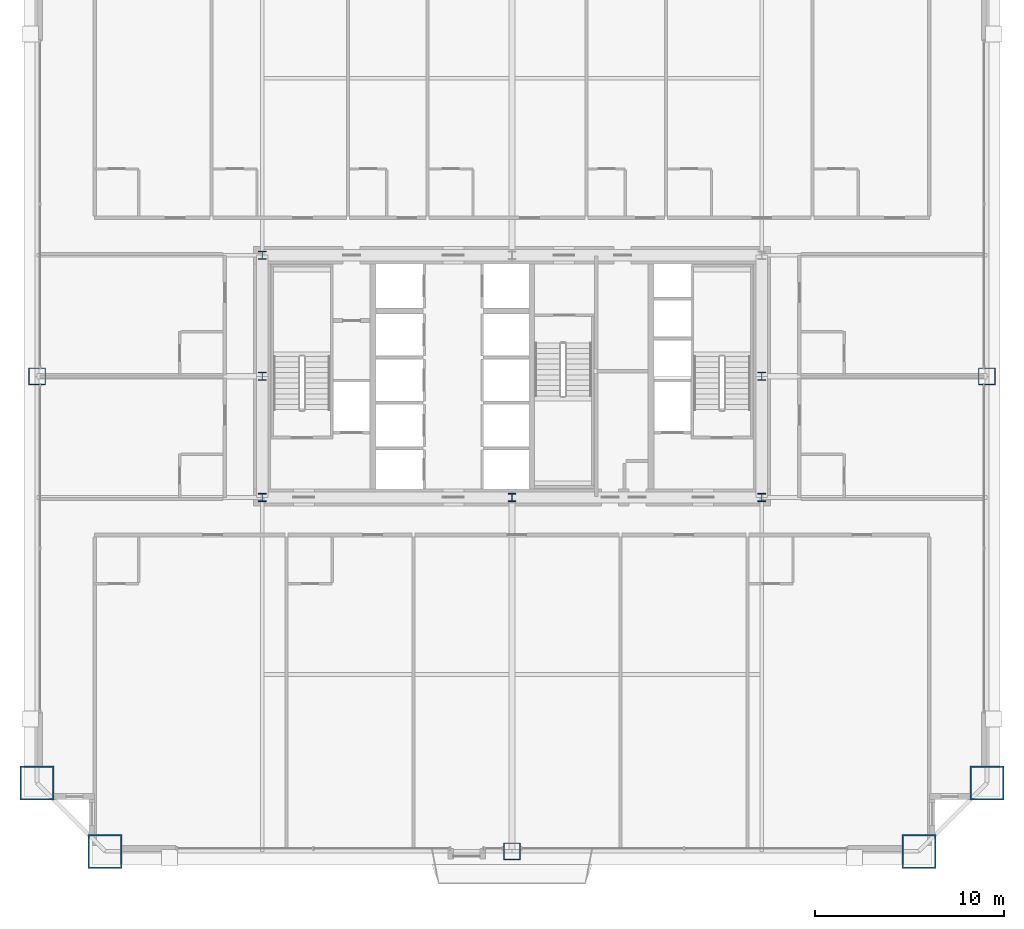
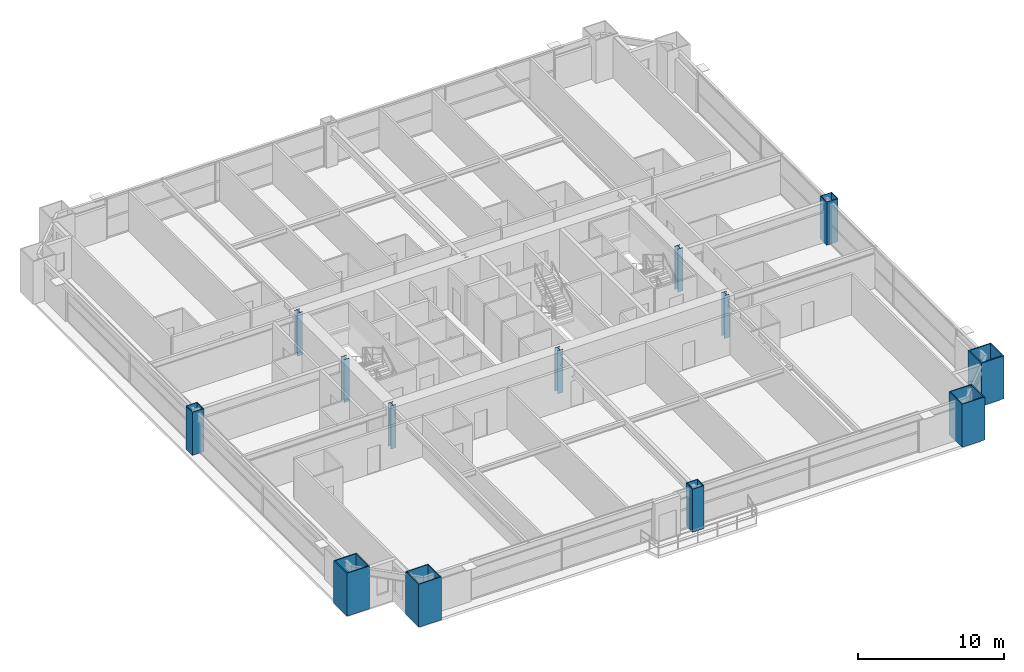
# One storey, part 1 of 45: 13 columns.
"""IFC4 building model written with IfcOpenShell, lengths in metres."""

from ifc_helpers import new_model, si_unit, direction, frame, origin, origin_2d, place, context, subcontext, project, spatial, hollow_rectangle, i_section, extrude, source, transform, mapped, material, material_profile, profile_set, type_object, element, save


model = new_model("IFC4")

# Units and contexts
model_context = context("Model", 3, precision=1e-05, world=origin(), true_north=direction((0.0, 1.0)))
body_context = subcontext(model_context, "Body", "Model", "MODEL_VIEW")
ifc_project = project(units=[si_unit("LENGTHUNIT", "METRE"), si_unit("AREAUNIT", "SQUARE_METRE"), si_unit("VOLUMEUNIT", "CUBIC_METRE"), si_unit("PLANEANGLEUNIT", "RADIAN"), si_unit("MASSUNIT", "GRAM", prefix="KILO"), si_unit("THERMODYNAMICTEMPERATUREUNIT", "KELVIN"), si_unit("POWERUNIT", "WATT")], contexts=[model_context])

# Site, building, storey
site_placement = place(None, origin())
site = spatial("IfcSite", under=ifc_project, at=site_placement, CompositionType="ELEMENT")
building_placement = place(site_placement, origin())
building = spatial("IfcBuilding", under=site, at=building_placement, Name="Yuzanri Waterfront Tower", CompositionType="ELEMENT")
storey_placement = place(building_placement, frame((0.0, 0.0, 49.60009765625)))
storey = spatial("IfcBuildingStorey", under=building, at=storey_placement, Name="L12", CompositionType="ELEMENT", Elevation=49.60009765625)

# Columns
ifc_material_1 = material(Name="Steel Q355B", Category="steel")
ifc_material_profile_1 = material_profile(ifc_material_1, i_section(OverallWidth=0.406982421875, OverallDepth=0.427978515625, WebThickness=0.02001953125, FlangeThickness=0.034912109375, at=origin_2d()), Name="HW 428x407x20x35")
ifc_profile_set_1 = profile_set([ifc_material_profile_1], Name="Steel Q355B")
column_type_1 = type_object("IfcColumnType", Name="Core Post Q355B HW 428x407x20x35", PredefinedType="COLUMN", material=ifc_profile_set_1)
shared_shape_1 = source(origin(), body_context, "Body", "SweptSolid", [
    extrude(i_section(OverallWidth=0.406982421875, OverallDepth=0.427978515625, WebThickness=0.02001953125, FlangeThickness=0.034912109375, at=origin_2d()), origin(), (0.0, 0.0, 1.0), 3.599853515625),
])
for number, where, z_axis, x_axis, name in (
    (1, (23.800048828125, 19.39990234375, 0.0), (0.0, 0.0, 1.0), (1.0, 0.0, 0.0), "L12 Core Boundary Column CP1"),
    (2, (37.0, 19.39990234375, 0.0), (0.0, 0.0, 1.0), (1.0, 0.0, 0.0), "L12 Core Boundary Column CP2"),
    (3, (50.199951171875, 19.39990234375, 0.0), (0.0, 0.0, 1.0), (1.0, 0.0, 0.0), "L12 Core Boundary Column CP3"),
    (4, (23.800048828125, 25.800048828125, 0.0), (0.0, 0.0, 1.0), (1.0, 0.0, 0.0), "L12 Core Boundary Column CP4"),
    (5, (50.199951171875, 25.800048828125, 0.0), (0.0, 0.0, 1.0), (1.0, 0.0, 0.0), "L12 Core Boundary Column CP5"),
    (6, (23.800048828125, 32.199951171875, 0.0), (0.0, 0.0, 1.0), (1.0, 0.0, 0.0), "L12 Core Boundary Column CP6"),
):
    element("IfcColumn", number, at=place(storey_placement, frame(where, z_axis=z_axis, x_axis=x_axis)), inside=storey, type_object=column_type_1, Name=name, PredefinedType="COLUMN", context=body_context, shape_type="MappedRepresentation", body=[
        mapped(shared_shape_1, transform((0.0, 0.0, 0.0), scale=1.0)),
    ])
ifc_material_2 = material(Name="Steel Q420GJC", Category="steel")
ifc_material_profile_2 = material_profile(ifc_material_2, hollow_rectangle(XDim=1.800048828125, YDim=1.800048828125, WallThickness=0.080078125, at=origin_2d()), Name="RHS 1800x1800x80")
ifc_profile_set_2 = profile_set([ifc_material_profile_2], Name="Steel Q420GJC")
column_type_2 = type_object("IfcColumnType", Name="Mega Column Q420GJC RHS 1800x1800x80", PredefinedType="COLUMN", material=ifc_profile_set_2)
shared_shape_2 = source(origin(), body_context, "Body", "SweptSolid", [
    extrude(hollow_rectangle(XDim=1.800048828125, YDim=1.800048828125, WallThickness=0.080078125, at=origin_2d()), origin(), (0.0, 0.0, 1.0), 3.599853515625),
])
for number, where, z_axis, x_axis, name in (
    (7, (15.5, 0.699951171875, 0.0), (0.0, 0.0, 1.0), (1.0, 0.0, 0.0), "L12 Perimeter Mega Column S1"),
    (8, (58.5, 0.699951171875, 0.0), (0.0, 0.0, 1.0), (1.0, 0.0, 0.0), "L12 Perimeter Mega Column S3"),
    (9, (11.89990234375, 4.300048828125, 0.0), (0.0, 0.0, 1.0), (1.0, 0.0, 0.0), "L12 Perimeter Mega Column W1"),
    (10, (62.10009765625, 4.300048828125, 0.0), (0.0, 0.0, 1.0), (1.0, 0.0, 0.0), "L12 Perimeter Mega Column E1"),
):
    element("IfcColumn", number, at=place(storey_placement, frame(where, z_axis=z_axis, x_axis=x_axis)), inside=storey, type_object=column_type_2, Name=name, PredefinedType="COLUMN", context=body_context, shape_type="MappedRepresentation", body=[
        mapped(shared_shape_2, transform((0.0, 0.0, 0.0), scale=1.0)),
    ])
ifc_material_3 = material(Name="Steel Q390GJC", Category="steel")
ifc_material_profile_3 = material_profile(ifc_material_3, hollow_rectangle(XDim=0.89990234375, YDim=0.89990234375, WallThickness=0.0419921875, at=origin_2d()), Name="RHS 900x900x42")
ifc_profile_set_3 = profile_set([ifc_material_profile_3], Name="Steel Q390GJC")
column_type_3 = type_object("IfcColumnType", Name="Frame Column Q390GJC RHS 900x900x42", PredefinedType="COLUMN", material=ifc_profile_set_3)
shared_shape_3 = source(origin(), body_context, "Body", "SweptSolid", [
    extrude(hollow_rectangle(XDim=0.89990234375, YDim=0.89990234375, WallThickness=0.0419921875, at=origin_2d()), origin(), (0.0, 0.0, 1.0), 3.599853515625),
])
for number, where, z_axis, x_axis, name in (
    (11, (37.0, 0.699951171875, 0.0), (0.0, 0.0, 1.0), (1.0, 0.0, 0.0), "L12 Perimeter Frame Column S2"),
    (12, (11.89990234375, 25.800048828125, 0.0), (0.0, 0.0, 1.0), (1.0, 0.0, 0.0), "L12 Perimeter Frame Column W2"),
    (13, (62.10009765625, 25.800048828125, 0.0), (0.0, 0.0, 1.0), (1.0, 0.0, 0.0), "L12 Perimeter Frame Column E2"),
):
    element("IfcColumn", number, at=place(storey_placement, frame(where, z_axis=z_axis, x_axis=x_axis)), inside=storey, type_object=column_type_3, Name=name, PredefinedType="COLUMN", context=body_context, shape_type="MappedRepresentation", body=[
        mapped(shared_shape_3, transform((0.0, 0.0, 0.0), scale=1.0)),
    ])

save(model, "model.ifc")
